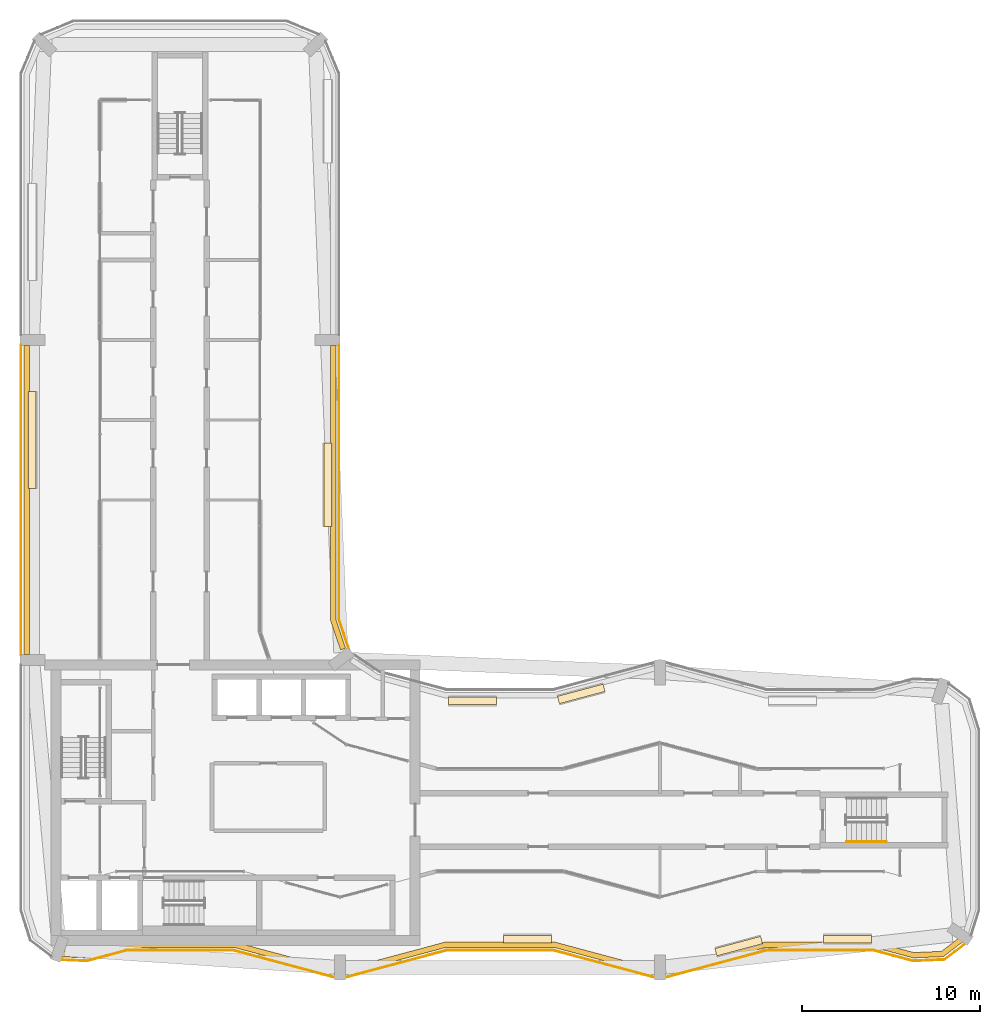
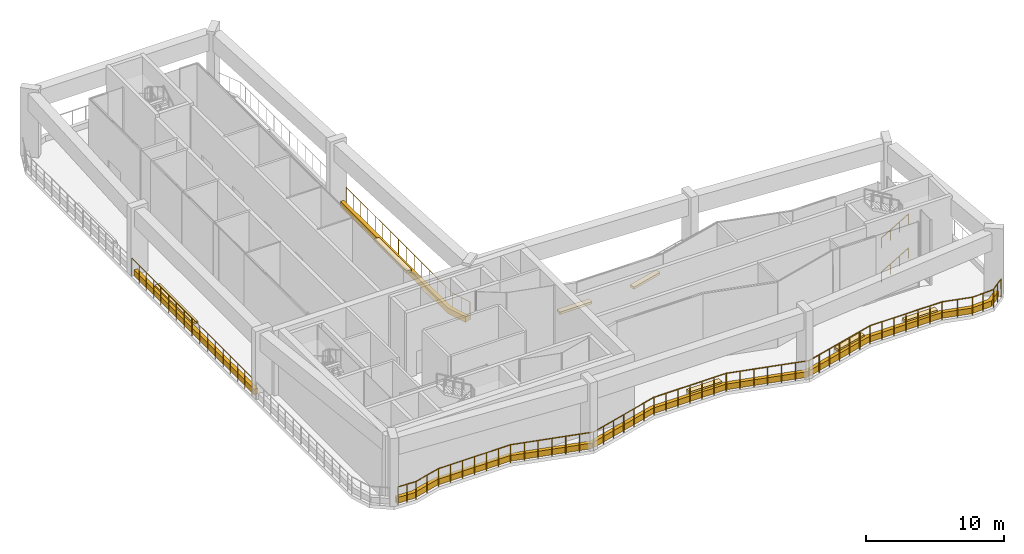
# One storey, part 15 of 17: 10 coverings, 5 railings.
"""IFC4 building model written with IfcOpenShell, lengths in metres."""

from ifc_helpers import new_model, si_unit, direction, frame, origin, origin_2d, place, context, subcontext, project, spatial, polyline, circle, outline, extrude, material, layer, layer_set, type_object, element, save


model = new_model("IFC4")

# Units and contexts
model_context = context("Model", 3, precision=1e-05, world=origin(), true_north=direction((0.0, 1.0)))
body_context = subcontext(model_context, "Body", "Model", "MODEL_VIEW")
ifc_project = project(units=[si_unit("LENGTHUNIT", "METRE"), si_unit("AREAUNIT", "SQUARE_METRE"), si_unit("VOLUMEUNIT", "CUBIC_METRE"), si_unit("PLANEANGLEUNIT", "RADIAN"), si_unit("MASSUNIT", "GRAM", prefix="KILO")], contexts=[model_context])

# Site, building, storey
site_placement = place(None, origin())
site = spatial("IfcSite", under=ifc_project, at=site_placement, CompositionType="ELEMENT")
building_placement = place(site_placement, origin())
building = spatial("IfcBuilding", under=site, at=building_placement, Name="Plateau Cross Towers", CompositionType="ELEMENT")
storey_placement = place(building_placement, frame((0.0, 0.0, 184.89990234375)))
storey = spatial("IfcBuildingStorey", under=building, at=storey_placement, Name="L48", CompositionType="ELEMENT", Elevation=184.89990234375)

# Railings
ifc_material_1 = material(Name="Stainless steel and toughened glass", Category="steel")
railing_type_1 = type_object("IfcRailingType", Name="Glass balustrade guard 1600", PredefinedType="GUARDRAIL", material=ifc_material_1)
railing_1_placement = place(storey_placement, frame((18.473388671875, 18.721435546875, 0.0)))
element("IfcRailing", 1, at=railing_1_placement, inside=storey, type_object=railing_type_1, Name="Guard A186_185", PredefinedType="GUARDRAIL", context=body_context, shape_type="SweptSolid", body=[
    extrude(circle(Radius=0.02392578125, at=origin_2d()), frame((0.0, 0.0, 1.576171875), z_axis=(-0.321520193873, 0.946902722001, 0.0), x_axis=(-0.946902722001, -0.321520193873, 0.0)), (0.0, 0.0, 1.0), 1.6591796875),
    extrude(circle(Radius=0.02392578125, at=origin_2d()), frame((-0.533447265625, 1.571044921875, 1.576171875), z_axis=(0.0, 1.0, 0.0), x_axis=(-1.0, 0.0, 0.0)), (0.0, 0.0, 1.0), 15.407470703125),
    extrude(circle(Radius=0.02099609375, at=origin_2d()), origin(), (0.0, 0.0, 1.0), 1.552001953125),
    extrude(circle(Radius=0.02099609375, at=origin_2d()), frame((-0.2666015625, 0.78564453125, 0.0)), (0.0, 0.0, 1.0), 1.552001953125),
    extrude(circle(Radius=0.02099609375, at=origin_2d()), frame((-0.533447265625, 1.571044921875, 0.0)), (0.0, 0.0, 1.0), 1.552001953125),
    extrude(circle(Radius=0.02099609375, at=origin_2d()), frame((-0.533447265625, 2.6748046875, 0.0)), (0.0, 0.0, 1.0), 1.552001953125),
    extrude(circle(Radius=0.02099609375, at=origin_2d()), frame((-0.533447265625, 3.778564453125, 0.0)), (0.0, 0.0, 1.0), 1.552001953125),
    extrude(circle(Radius=0.02099609375, at=origin_2d()), frame((-0.533447265625, 4.903564453125, 0.0)), (0.0, 0.0, 1.0), 1.552001953125),
    extrude(circle(Radius=0.02099609375, at=origin_2d()), frame((-0.533447265625, 6.028564453125, 0.0)), (0.0, 0.0, 1.0), 1.552001953125),
    extrude(circle(Radius=0.02099609375, at=origin_2d()), frame((-0.533447265625, 7.153564453125, 0.0)), (0.0, 0.0, 1.0), 1.552001953125),
    extrude(circle(Radius=0.02099609375, at=origin_2d()), frame((-0.533447265625, 8.278564453125, 0.0)), (0.0, 0.0, 1.0), 1.552001953125),
    extrude(circle(Radius=0.02099609375, at=origin_2d()), frame((-0.533447265625, 9.403564453125, 0.0)), (0.0, 0.0, 1.0), 1.552001953125),
    extrude(circle(Radius=0.02099609375, at=origin_2d()), frame((-0.533447265625, 10.528564453125, 0.0)), (0.0, 0.0, 1.0), 1.552001953125),
    extrude(circle(Radius=0.02099609375, at=origin_2d()), frame((-0.533447265625, 11.653564453125, 0.0)), (0.0, 0.0, 1.0), 1.552001953125),
    extrude(circle(Radius=0.02099609375, at=origin_2d()), frame((-0.533447265625, 12.778564453125, 0.0)), (0.0, 0.0, 1.0), 1.552001953125),
    extrude(circle(Radius=0.02099609375, at=origin_2d()), frame((-0.533447265625, 13.82861328125, 0.0)), (0.0, 0.0, 1.0), 1.552001953125),
    extrude(circle(Radius=0.02099609375, at=origin_2d()), frame((-0.533447265625, 14.87841796875, 0.0)), (0.0, 0.0, 1.0), 1.552001953125),
    extrude(circle(Radius=0.02099609375, at=origin_2d()), frame((-0.533447265625, 15.928466796875, 0.0)), (0.0, 0.0, 1.0), 1.552001953125),
    extrude(circle(Radius=0.02099609375, at=origin_2d()), frame((-0.533447265625, 16.978515625, 0.0)), (0.0, 0.0, 1.0), 1.552001953125),
])
railing_2_placement = place(storey_placement, frame((0.06005859375, 35.699951171875, 0.0)))
element("IfcRailing", 2, at=railing_2_placement, inside=storey, type_object=railing_type_1, Name="Guard A0_360", PredefinedType="GUARDRAIL", context=body_context, shape_type="SweptSolid", body=[
    extrude(circle(Radius=0.02392578125, at=origin_2d()), frame((0.0, 0.0, 1.576171875), z_axis=(0.0, -1.0, 0.0), x_axis=(1.0, 0.0, 0.0)), (0.0, 0.0, 1.0), 17.39990234375),
    extrude(circle(Radius=0.02099609375, at=origin_2d()), origin(), (0.0, 0.0, 1.0), 1.552001953125),
    extrude(circle(Radius=0.02099609375, at=origin_2d()), frame((0.0, -1.050048828125, 0.0)), (0.0, 0.0, 1.0), 1.552001953125),
    extrude(circle(Radius=0.02099609375, at=origin_2d()), frame((0.0, -2.10009765625, 0.0)), (0.0, 0.0, 1.0), 1.552001953125),
    extrude(circle(Radius=0.02099609375, at=origin_2d()), frame((0.0, -3.14990234375, 0.0)), (0.0, 0.0, 1.0), 1.552001953125),
    extrude(circle(Radius=0.02099609375, at=origin_2d()), frame((0.0, -4.199951171875, 0.0)), (0.0, 0.0, 1.0), 1.552001953125),
    extrude(circle(Radius=0.02099609375, at=origin_2d()), frame((0.0, -5.324951171875, 0.0)), (0.0, 0.0, 1.0), 1.552001953125),
    extrude(circle(Radius=0.02099609375, at=origin_2d()), frame((0.0, -6.449951171875, 0.0)), (0.0, 0.0, 1.0), 1.552001953125),
    extrude(circle(Radius=0.02099609375, at=origin_2d()), frame((0.0, -7.574951171875, 0.0)), (0.0, 0.0, 1.0), 1.552001953125),
    extrude(circle(Radius=0.02099609375, at=origin_2d()), frame((0.0, -8.699951171875, 0.0)), (0.0, 0.0, 1.0), 1.552001953125),
    extrude(circle(Radius=0.02099609375, at=origin_2d()), frame((0.0, -9.824951171875, 0.0)), (0.0, 0.0, 1.0), 1.552001953125),
    extrude(circle(Radius=0.02099609375, at=origin_2d()), frame((0.0, -10.949951171875, 0.0)), (0.0, 0.0, 1.0), 1.552001953125),
    extrude(circle(Radius=0.02099609375, at=origin_2d()), frame((0.0, -12.074951171875, 0.0)), (0.0, 0.0, 1.0), 1.552001953125),
    extrude(circle(Radius=0.02099609375, at=origin_2d()), frame((0.0, -13.199951171875, 0.0)), (0.0, 0.0, 1.0), 1.552001953125),
    extrude(circle(Radius=0.02099609375, at=origin_2d()), frame((0.0, -14.25, 0.0)), (0.0, 0.0, 1.0), 1.552001953125),
    extrude(circle(Radius=0.02099609375, at=origin_2d()), frame((0.0, -15.2998046875, 0.0)), (0.0, 0.0, 1.0), 1.552001953125),
    extrude(circle(Radius=0.02099609375, at=origin_2d()), frame((0.0, -16.349853515625, 0.0)), (0.0, 0.0, 1.0), 1.552001953125),
    extrude(circle(Radius=0.02099609375, at=origin_2d()), frame((0.0, -17.39990234375, 0.0)), (0.0, 0.0, 1.0), 1.552001953125),
])
railing_3_placement = place(storey_placement, frame((2.294921875, 1.13623046875, 0.0)))
element("IfcRailing", 3, at=railing_3_placement, inside=storey, type_object=railing_type_1, Name="Guard A20_11", PredefinedType="GUARDRAIL", context=body_context, shape_type="SweptSolid", body=[
    extrude(circle(Radius=0.02392578125, at=origin_2d()), frame((0.0, 0.0, 1.576171875), z_axis=(0.999038915809, -0.043832005412, 0.0), x_axis=(0.043832005412, 0.999038915809, 0.0)), (0.0, 0.0, 1.0), 1.47607421875),
    extrude(circle(Radius=0.02392578125, at=origin_2d()), frame((1.474609375, -0.064697265625, 1.576171875), z_axis=(0.96593668607, 0.258778512448, 0.0), x_axis=(-0.258778512448, 0.96593668607, 0.0)), (0.0, 0.0, 1.0), 2.301025390625),
    extrude(circle(Radius=0.02392578125, at=origin_2d()), frame((3.697265625, 0.53076171875, 1.576171875), z_axis=(1.0, 0.0, 0.0), x_axis=(0.0, 1.0, 0.0)), (0.0, 0.0, 1.0), 6.015625),
    extrude(circle(Radius=0.02392578125, at=origin_2d()), frame((9.712890625, 0.53076171875, 1.576171875), z_axis=(0.965950861745, -0.258725593428, 0.0), x_axis=(0.258725593428, 0.965950861745, 0.0)), (0.0, 0.0, 1.0), 6.203369140625),
    extrude(circle(Radius=0.02392578125, at=origin_2d()), frame((15.705078125, -1.07421875, 1.576171875), z_axis=(0.965950861745, 0.258725593428, 0.0), x_axis=(-0.258725593428, 0.965950861745, 0.0)), (0.0, 0.0, 1.0), 6.203369140625),
    extrude(circle(Radius=0.02392578125, at=origin_2d()), frame((21.697265625, 0.53076171875, 1.576171875), z_axis=(1.0, 0.0, 0.0), x_axis=(0.0, 1.0, 0.0)), (0.0, 0.0, 1.0), 6.015625),
    extrude(circle(Radius=0.02392578125, at=origin_2d()), frame((27.712890625, 0.53076171875, 1.576171875), z_axis=(0.965950861745, -0.258725593428, 0.0), x_axis=(0.258725593428, 0.965950861745, 0.0)), (0.0, 0.0, 1.0), 6.203369140625),
    extrude(circle(Radius=0.02392578125, at=origin_2d()), frame((33.705078125, -1.07421875, 1.576171875), z_axis=(0.965950861745, 0.258725593428, 0.0), x_axis=(-0.258725593428, 0.965950861745, 0.0)), (0.0, 0.0, 1.0), 6.203369140625),
    extrude(circle(Radius=0.02392578125, at=origin_2d()), frame((39.697265625, 0.53076171875, 1.576171875), z_axis=(1.0, 0.0, 0.0), x_axis=(0.0, 1.0, 0.0)), (0.0, 0.0, 1.0), 6.015625),
    extrude(circle(Radius=0.02392578125, at=origin_2d()), frame((45.712890625, 0.53076171875, 1.576171875), z_axis=(0.96593668607, -0.258778512448, 0.0), x_axis=(0.258778512448, 0.96593668607, 0.0)), (0.0, 0.0, 1.0), 2.301025390625),
    extrude(circle(Radius=0.02392578125, at=origin_2d()), frame((47.935546875, -0.064697265625, 1.576171875), z_axis=(0.999038178213, 0.043848813821, 0.0), x_axis=(-0.043848813821, 0.999038178213, 0.0)), (0.0, 0.0, 1.0), 1.776123046875),
    extrude(circle(Radius=0.02392578125, at=origin_2d()), frame((49.7099609375, 0.01318359375, 1.576171875), z_axis=(0.793316807674, 0.608809036284, 0.0), x_axis=(-0.608809036284, 0.793316807674, 0.0)), (0.0, 0.0, 1.0), 1.466064453125),
    extrude(circle(Radius=0.02099609375, at=origin_2d()), origin(), (0.0, 0.0, 1.0), 1.552001953125),
    extrude(circle(Radius=0.02099609375, at=origin_2d()), frame((0.7373046875, -0.0322265625, 0.0)), (0.0, 0.0, 1.0), 1.552001953125),
    extrude(circle(Radius=0.02099609375, at=origin_2d()), frame((1.474609375, -0.064697265625, 0.0)), (0.0, 0.0, 1.0), 1.552001953125),
    extrude(circle(Radius=0.02099609375, at=origin_2d()), frame((2.5859375, 0.23291015625, 0.0)), (0.0, 0.0, 1.0), 1.552001953125),
    extrude(circle(Radius=0.02099609375, at=origin_2d()), frame((3.697265625, 0.53076171875, 0.0)), (0.0, 0.0, 1.0), 1.552001953125),
    extrude(circle(Radius=0.02099609375, at=origin_2d()), frame((4.699951171875, 0.53076171875, 0.0)), (0.0, 0.0, 1.0), 1.552001953125),
    extrude(circle(Radius=0.02099609375, at=origin_2d()), frame((5.702392578125, 0.53076171875, 0.0)), (0.0, 0.0, 1.0), 1.552001953125),
    extrude(circle(Radius=0.02099609375, at=origin_2d()), frame((6.705078125, 0.53076171875, 0.0)), (0.0, 0.0, 1.0), 1.552001953125),
    extrude(circle(Radius=0.02099609375, at=origin_2d()), frame((7.707763671875, 0.53076171875, 0.0)), (0.0, 0.0, 1.0), 1.552001953125),
    extrude(circle(Radius=0.02099609375, at=origin_2d()), frame((8.710205078125, 0.53076171875, 0.0)), (0.0, 0.0, 1.0), 1.552001953125),
    extrude(circle(Radius=0.02099609375, at=origin_2d()), frame((9.712890625, 0.53076171875, 0.0)), (0.0, 0.0, 1.0), 1.552001953125),
    extrude(circle(Radius=0.02099609375, at=origin_2d()), frame((10.711669921875, 0.26318359375, 0.0)), (0.0, 0.0, 1.0), 1.552001953125),
    extrude(circle(Radius=0.02099609375, at=origin_2d()), frame((11.710205078125, -0.004150390625, 0.0)), (0.0, 0.0, 1.0), 1.552001953125),
    extrude(circle(Radius=0.02099609375, at=origin_2d()), frame((12.708984375, -0.271728515625, 0.0)), (0.0, 0.0, 1.0), 1.552001953125),
    extrude(circle(Radius=0.02099609375, at=origin_2d()), frame((13.707763671875, -0.539306640625, 0.0)), (0.0, 0.0, 1.0), 1.552001953125),
    extrude(circle(Radius=0.02099609375, at=origin_2d()), frame((14.706298828125, -0.806640625, 0.0)), (0.0, 0.0, 1.0), 1.552001953125),
    extrude(circle(Radius=0.02099609375, at=origin_2d()), frame((15.705078125, -1.07421875, 0.0)), (0.0, 0.0, 1.0), 1.552001953125),
    extrude(circle(Radius=0.02099609375, at=origin_2d()), frame((16.703857421875, -0.806640625, 0.0)), (0.0, 0.0, 1.0), 1.552001953125),
    extrude(circle(Radius=0.02099609375, at=origin_2d()), frame((17.702392578125, -0.539306640625, 0.0)), (0.0, 0.0, 1.0), 1.552001953125),
    extrude(circle(Radius=0.02099609375, at=origin_2d()), frame((18.701171875, -0.271728515625, 0.0)), (0.0, 0.0, 1.0), 1.552001953125),
    extrude(circle(Radius=0.02099609375, at=origin_2d()), frame((19.699951171875, -0.004150390625, 0.0)), (0.0, 0.0, 1.0), 1.552001953125),
    extrude(circle(Radius=0.02099609375, at=origin_2d()), frame((20.698486328125, 0.26318359375, 0.0)), (0.0, 0.0, 1.0), 1.552001953125),
    extrude(circle(Radius=0.02099609375, at=origin_2d()), frame((21.697265625, 0.53076171875, 0.0)), (0.0, 0.0, 1.0), 1.552001953125),
    extrude(circle(Radius=0.02099609375, at=origin_2d()), frame((22.699951171875, 0.53076171875, 0.0)), (0.0, 0.0, 1.0), 1.552001953125),
    extrude(circle(Radius=0.02099609375, at=origin_2d()), frame((23.702392578125, 0.53076171875, 0.0)), (0.0, 0.0, 1.0), 1.552001953125),
    extrude(circle(Radius=0.02099609375, at=origin_2d()), frame((24.705078125, 0.53076171875, 0.0)), (0.0, 0.0, 1.0), 1.552001953125),
    extrude(circle(Radius=0.02099609375, at=origin_2d()), frame((25.707763671875, 0.53076171875, 0.0)), (0.0, 0.0, 1.0), 1.552001953125),
    extrude(circle(Radius=0.02099609375, at=origin_2d()), frame((26.710205078125, 0.53076171875, 0.0)), (0.0, 0.0, 1.0), 1.552001953125),
    extrude(circle(Radius=0.02099609375, at=origin_2d()), frame((27.712890625, 0.53076171875, 0.0)), (0.0, 0.0, 1.0), 1.552001953125),
    extrude(circle(Radius=0.02099609375, at=origin_2d()), frame((28.711669921875, 0.26318359375, 0.0)), (0.0, 0.0, 1.0), 1.552001953125),
    extrude(circle(Radius=0.02099609375, at=origin_2d()), frame((29.710205078125, -0.004150390625, 0.0)), (0.0, 0.0, 1.0), 1.552001953125),
    extrude(circle(Radius=0.02099609375, at=origin_2d()), frame((30.708984375, -0.271728515625, 0.0)), (0.0, 0.0, 1.0), 1.552001953125),
    extrude(circle(Radius=0.02099609375, at=origin_2d()), frame((31.707763671875, -0.539306640625, 0.0)), (0.0, 0.0, 1.0), 1.552001953125),
    extrude(circle(Radius=0.02099609375, at=origin_2d()), frame((32.706298828125, -0.806640625, 0.0)), (0.0, 0.0, 1.0), 1.552001953125),
    extrude(circle(Radius=0.02099609375, at=origin_2d()), frame((33.705078125, -1.07421875, 0.0)), (0.0, 0.0, 1.0), 1.552001953125),
    extrude(circle(Radius=0.02099609375, at=origin_2d()), frame((34.703857421875, -0.806640625, 0.0)), (0.0, 0.0, 1.0), 1.552001953125),
    extrude(circle(Radius=0.02099609375, at=origin_2d()), frame((35.702392578125, -0.539306640625, 0.0)), (0.0, 0.0, 1.0), 1.552001953125),
    extrude(circle(Radius=0.02099609375, at=origin_2d()), frame((36.701171875, -0.271728515625, 0.0)), (0.0, 0.0, 1.0), 1.552001953125),
    extrude(circle(Radius=0.02099609375, at=origin_2d()), frame((37.699951171875, -0.004150390625, 0.0)), (0.0, 0.0, 1.0), 1.552001953125),
    extrude(circle(Radius=0.02099609375, at=origin_2d()), frame((38.698486328125, 0.26318359375, 0.0)), (0.0, 0.0, 1.0), 1.552001953125),
    extrude(circle(Radius=0.02099609375, at=origin_2d()), frame((39.697265625, 0.53076171875, 0.0)), (0.0, 0.0, 1.0), 1.552001953125),
    extrude(circle(Radius=0.02099609375, at=origin_2d()), frame((40.699951171875, 0.53076171875, 0.0)), (0.0, 0.0, 1.0), 1.552001953125),
    extrude(circle(Radius=0.02099609375, at=origin_2d()), frame((41.702392578125, 0.53076171875, 0.0)), (0.0, 0.0, 1.0), 1.552001953125),
    extrude(circle(Radius=0.02099609375, at=origin_2d()), frame((42.705078125, 0.53076171875, 0.0)), (0.0, 0.0, 1.0), 1.552001953125),
    extrude(circle(Radius=0.02099609375, at=origin_2d()), frame((43.707763671875, 0.53076171875, 0.0)), (0.0, 0.0, 1.0), 1.552001953125),
    extrude(circle(Radius=0.02099609375, at=origin_2d()), frame((44.710205078125, 0.53076171875, 0.0)), (0.0, 0.0, 1.0), 1.552001953125),
    extrude(circle(Radius=0.02099609375, at=origin_2d()), frame((45.712890625, 0.53076171875, 0.0)), (0.0, 0.0, 1.0), 1.552001953125),
    extrude(circle(Radius=0.02099609375, at=origin_2d()), frame((46.82421875, 0.23291015625, 0.0)), (0.0, 0.0, 1.0), 1.552001953125),
    extrude(circle(Radius=0.02099609375, at=origin_2d()), frame((47.935546875, -0.064697265625, 0.0)), (0.0, 0.0, 1.0), 1.552001953125),
    extrude(circle(Radius=0.02099609375, at=origin_2d()), frame((48.82275390625, -0.02587890625, 0.0)), (0.0, 0.0, 1.0), 1.552001953125),
    extrude(circle(Radius=0.02099609375, at=origin_2d()), frame((49.7099609375, 0.01318359375, 0.0)), (0.0, 0.0, 1.0), 1.552001953125),
    extrude(circle(Radius=0.02099609375, at=origin_2d()), frame((50.29150390625, 0.45947265625, 0.0)), (0.0, 0.0, 1.0), 1.552001953125),
    extrude(circle(Radius=0.02099609375, at=origin_2d()), frame((50.873046875, 0.90576171875, 0.0)), (0.0, 0.0, 1.0), 1.552001953125),
])

# Coverings
ifc_material_2 = material(Name="Planting substrate and ground cover")
ifc_layer = layer(ifc_material_2, 0.199951171875)
ifc_layer_set = layer_set([ifc_layer], Name="Planting substrate and ground cover")
covering_type_1 = type_object("IfcCoveringType", Name="Planting bed 200", PredefinedType="FLOORING", material=ifc_layer_set)
covering_1_placement = place(storey_placement, frame((0.0, 0.0, 0.4501953125)))
element("IfcCovering", 4, at=covering_1_placement, inside=storey, type_object=covering_type_1, Name="Planting bed 1", PredefinedType="FLOORING", context=body_context, shape_type="SweptSolid", body=[
    extrude(outline(polyline([(0.47998046875, 33.0947265625), (0.909912109375, 33.0947265625), (0.909912109375, 27.638916015625), (0.47998046875, 27.638916015625), (0.47998046875, 33.0947265625)])), origin(), (0.0, 0.0, 1.0), 0.199951171875),
])
covering_2_placement = place(storey_placement, frame((0.0, 0.0, 0.4501953125)))
element("IfcCovering", 5, at=covering_2_placement, inside=storey, type_object=covering_type_1, Name="Planting bed 4", PredefinedType="FLOORING", context=body_context, shape_type="SweptSolid", body=[
    extrude(outline(polyline([(17.52001953125, 25.5), (17.090087890625, 25.5), (17.090087890625, 30.212158203125), (17.52001953125, 30.212158203125), (17.52001953125, 25.5)])), origin(), (0.0, 0.0, 1.0), 0.199951171875),
])
covering_3_placement = place(storey_placement, frame((0.0, 0.0, 0.4501953125)))
element("IfcCovering", 6, at=covering_3_placement, inside=storey, type_object=covering_type_1, Name="Planting bed 5", PredefinedType="FLOORING", context=body_context, shape_type="SweptSolid", body=[
    extrude(outline(polyline([(26.800048828125, 15.9130859375), (26.800048828125, 15.483154296875), (24.108642578125, 15.483154296875), (24.108642578125, 15.9130859375), (26.800048828125, 15.9130859375)])), origin(), (0.0, 0.0, 1.0), 0.199951171875),
])
covering_4_placement = place(storey_placement, frame((0.0, 0.0, 0.4501953125)))
element("IfcCovering", 7, at=covering_4_placement, inside=storey, type_object=covering_type_1, Name="Planting bed 6", PredefinedType="FLOORING", context=body_context, shape_type="SweptSolid", body=[
    extrude(outline(polyline([(32.796875, 16.645263671875), (32.908203125, 16.22998046875), (30.34033203125, 15.542236328125), (30.22900390625, 15.95751953125), (32.796875, 16.645263671875)])), origin(), (0.0, 0.0, 1.0), 0.199951171875),
])
covering_5_placement = place(storey_placement, frame((0.0, 0.0, 0.4501953125)))
element("IfcCovering", 8, at=covering_5_placement, inside=storey, type_object=covering_type_1, Name="Planting bed 8", PredefinedType="FLOORING", context=body_context, shape_type="SweptSolid", body=[
    extrude(outline(polyline([(45.199951171875, 2.0869140625), (45.199951171875, 2.516845703125), (47.891357421875, 2.516845703125), (47.891357421875, 2.0869140625), (45.199951171875, 2.0869140625)])), origin(), (0.0, 0.0, 1.0), 0.199951171875),
])
covering_6_placement = place(storey_placement, frame((0.0, 0.0, 0.4501953125)))
element("IfcCovering", 9, at=covering_6_placement, inside=storey, type_object=covering_type_1, Name="Planting bed 9", PredefinedType="FLOORING", context=body_context, shape_type="SweptSolid", body=[
    extrude(outline(polyline([(39.203125, 1.354736328125), (39.091796875, 1.77001953125), (41.65966796875, 2.457763671875), (41.77099609375, 2.04248046875), (39.203125, 1.354736328125)])), origin(), (0.0, 0.0, 1.0), 0.199951171875),
])
covering_7_placement = place(storey_placement, frame((0.0, 0.0, 0.4501953125)))
element("IfcCovering", 10, at=covering_7_placement, inside=storey, type_object=covering_type_1, Name="Planting bed 10", PredefinedType="FLOORING", context=body_context, shape_type="SweptSolid", body=[
    extrude(outline(polyline([(27.199951171875, 2.0869140625), (27.199951171875, 2.516845703125), (29.891357421875, 2.516845703125), (29.891357421875, 2.0869140625), (27.199951171875, 2.0869140625)])), origin(), (0.0, 0.0, 1.0), 0.199951171875),
])

# Railings
ifc_material_3 = material(Name="Black anodised aluminium", Category="aluminium")
railing_type_2 = type_object("IfcRailingType", Name="RL-HANDRAIL-900", PredefinedType="HANDRAIL", material=ifc_material_3)
for number, where, name in (
    (11, (46.5, 7.77490234375, 0.166748046875), "L48 ES-E stair handrail 1"),
    (12, (46.5, 7.77490234375, 3.166748046875), "L48 ES-E stair handrail 3"),
):
    element("IfcRailing", number, at=place(storey_placement, frame(where)), inside=storey, type_object=railing_type_2, Name=name, PredefinedType="HANDRAIL", context=body_context, shape_type="SweptSolid", body=[
        extrude(circle(Radius=0.02392578125, at=origin_2d()), frame((0.0, 0.0, 0.8759765625), z_axis=(0.859305625298, 0.0, 0.511462454469), x_axis=(0.0, 1.0, 0.0)), (0.0, 0.0, 1.0), 2.606689453125),
        extrude(circle(Radius=0.02099609375, at=origin_2d()), origin(), (0.0, 0.0, 1.0), 0.851806640625),
        extrude(circle(Radius=0.02099609375, at=origin_2d()), frame((0.74658203125, 0.0, 0.4443359375)), (0.0, 0.0, 1.0), 0.851806640625),
        extrude(circle(Radius=0.02099609375, at=origin_2d()), frame((1.493408203125, 0.0, 0.888916015625)), (0.0, 0.0, 1.0), 0.851806640625),
        extrude(circle(Radius=0.02099609375, at=origin_2d()), frame((2.239990234375, 0.0, 1.333251953125)), (0.0, 0.0, 1.0), 0.851806640625),
    ])

# Coverings
ifc_material_4 = material(Name="Light precast concrete cladding C40/50", Category="concrete")
covering_type_2 = type_object("IfcCoveringType", Name="Sill kerb cladding 300x500", PredefinedType="CLADDING", material=ifc_material_4)
covering_8_placement = place(storey_placement, origin())
element("IfcCovering", 13, at=covering_8_placement, inside=storey, type_object=covering_type_2, Name="Sill kerb 3", PredefinedType="CLADDING", context=body_context, shape_type="SweptSolid", body=[
    extrude(outline(polyline([(17.49365234375, 20.145263671875), (17.48095703125, 20.190673828125), (17.47265625, 20.2412109375), (17.469970703125, 20.288330078125), (17.469970703125, 35.699951171875), (17.77001953125, 35.699951171875), (17.77001953125, 20.29638671875), (17.771240234375, 20.27392578125), (17.774169921875, 20.255615234375), (17.7802734375, 20.23388671875), (18.312255859375, 18.666748046875), (18.0283203125, 18.5703125), (17.49365234375, 20.145263671875)])), origin(), (0.0, 0.0, 1.0), 0.5),
])
covering_9_placement = place(storey_placement, origin())
element("IfcCovering", 14, at=covering_9_placement, inside=storey, type_object=covering_type_2, Name="Sill kerb 7", PredefinedType="CLADDING", context=body_context, shape_type="SweptSolid", body=[
    extrude(outline(polyline([(0.530029296875, 18.300048828125), (0.22998046875, 18.300048828125), (0.22998046875, 35.699951171875), (0.530029296875, 35.699951171875), (0.530029296875, 18.300048828125)])), origin(), (0.0, 0.0, 1.0), 0.5),
])
covering_10_placement = place(storey_placement, origin())
element("IfcCovering", 15, at=covering_10_placement, inside=storey, type_object=covering_type_2, Name="Sill kerb 9", PredefinedType="CLADDING", context=body_context, shape_type="SweptSolid", body=[
    extrude(outline(polyline([(3.7177734375, 1.54443359375), (5.873779296875, 2.121826171875), (5.910400390625, 2.1298828125), (5.951171875, 2.13525390625), (5.98876953125, 2.136962890625), (12.01123046875, 2.136962890625), (12.048828125, 2.13525390625), (12.089599609375, 2.1298828125), (12.126220703125, 2.121826171875), (18.0, 0.548583984375), (23.873779296875, 2.121826171875), (23.910400390625, 2.1298828125), (23.951171875, 2.13525390625), (23.98876953125, 2.136962890625), (30.01123046875, 2.136962890625), (30.048828125, 2.13525390625), (30.089599609375, 2.1298828125), (30.126220703125, 2.121826171875), (36.0, 0.548583984375), (41.873779296875, 2.121826171875), (41.910400390625, 2.1298828125), (41.951171875, 2.13525390625), (41.98876953125, 2.136962890625), (48.01123046875, 2.136962890625), (48.048828125, 2.13525390625), (48.089599609375, 2.1298828125), (48.126220703125, 2.121826171875), (50.2822265625, 1.54443359375), (51.836181640625, 1.6123046875), (52.8818359375, 2.414794921875), (53.064453125, 2.1767578125), (51.94384765625, 1.31689453125), (50.249267578125, 1.24267578125), (48.054931640625, 1.830322265625), (48.037353515625, 1.834228515625), (48.022705078125, 1.836181640625), (48.004638671875, 1.8369140625), (41.995361328125, 1.8369140625), (41.977294921875, 1.836181640625), (41.962646484375, 1.834228515625), (41.945068359375, 1.830322265625), (36.0, 0.238037109375), (30.054931640625, 1.830322265625), (30.037353515625, 1.834228515625), (30.022705078125, 1.836181640625), (30.004638671875, 1.8369140625), (23.995361328125, 1.8369140625), (23.977294921875, 1.836181640625), (23.962646484375, 1.834228515625), (23.945068359375, 1.830322265625), (18.0, 0.238037109375), (12.054931640625, 1.830322265625), (12.037353515625, 1.834228515625), (12.022705078125, 1.836181640625), (12.004638671875, 1.8369140625), (5.995361328125, 1.8369140625), (5.977294921875, 1.836181640625), (5.962646484375, 1.834228515625), (5.945068359375, 1.830322265625), (3.750732421875, 1.24267578125), (2.302490234375, 1.305908203125), (2.3154296875, 1.605712890625), (3.7177734375, 1.54443359375)])), origin(), (0.0, 0.0, 1.0), 0.5),
])

save(model, "model.ifc")
